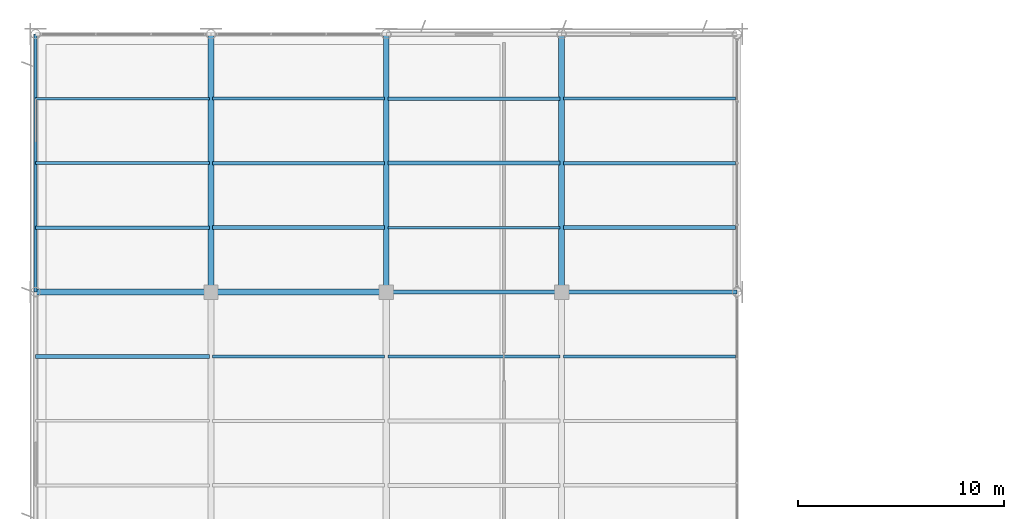
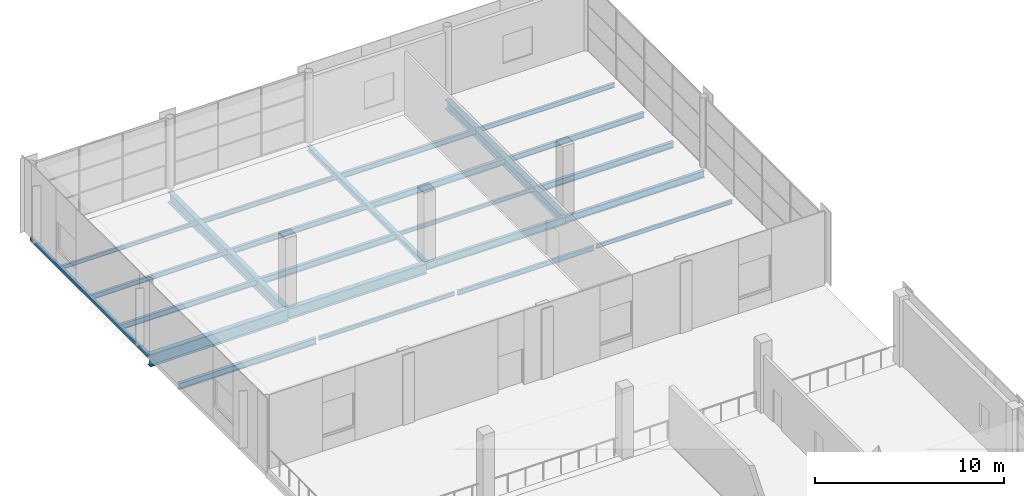
# One storey, part 41 of 101: 24 beams.
"""IFC4 building model written with IfcOpenShell, lengths in metres."""

from ifc_helpers import new_model, si_unit, direction, frame, origin, origin_2d, place, context, subcontext, project, spatial, hollow_rectangle, i_section, extrude, material, material_profile, profile_set, type_object, element, save


model = new_model("IFC4")

# Units and contexts
model_context = context("Model", 3, precision=1e-05, world=origin(), true_north=direction((0.0, 1.0)))
body_context = subcontext(model_context, "Body", "Model", "MODEL_VIEW")
ifc_project = project(units=[si_unit("LENGTHUNIT", "METRE"), si_unit("AREAUNIT", "SQUARE_METRE"), si_unit("VOLUMEUNIT", "CUBIC_METRE"), si_unit("PLANEANGLEUNIT", "RADIAN"), si_unit("MASSUNIT", "GRAM", prefix="KILO")], contexts=[model_context])

# Site, building, storey
site_placement = place(None, origin())
site = spatial("IfcSite", under=ifc_project, at=site_placement, CompositionType="ELEMENT")
building_placement = place(site_placement, origin())
building = spatial("IfcBuilding", under=site, at=building_placement, Name="Solvikara Media Centre", CompositionType="ELEMENT")
storey_placement = place(building_placement, frame((0.0, 0.0, 10.199951171875)))
storey = spatial("IfcBuildingStorey", under=building, at=storey_placement, Name="L02", CompositionType="ELEMENT", Elevation=10.199951171875)

# Beams
ifc_material = material(Name="Steel S355JR", Category="steel")
ifc_material_profile_1 = material_profile(ifc_material, i_section(OverallWidth=0.300048828125, OverallDepth=0.800048828125, WebThickness=0.013916015625, FlangeThickness=0.02587890625, at=origin_2d()), Name="WF 800x300x14x26")
ifc_profile_set_1 = profile_set([ifc_material_profile_1], Name="Steel S355JR")
beam_type_1 = type_object("IfcBeamType", Name="BM-16", PredefinedType="BEAM", material=ifc_profile_set_1)
beam_1_placement = place(storey_placement, frame((0.0, 101.5, -0.661865234375), z_axis=(1.0, 0.0, 0.0), x_axis=(0.0, 1.0, 0.0)))
element("IfcBeam", 1, at=beam_1_placement, inside=storey, type_object=beam_type_1, Name="B-L02-X0897", PredefinedType="BEAM", context=body_context, shape_type="SweptSolid", body=[
    extrude(i_section(OverallWidth=0.300048828125, OverallDepth=0.800048828125, WebThickness=0.013916015625, FlangeThickness=0.02587890625, at=origin_2d()), origin(), (0.0, 0.0, 1.0), 8.5),
])
ifc_material_profile_2 = material_profile(ifc_material, i_section(OverallWidth=0.300048828125, OverallDepth=0.699951171875, WebThickness=0.012939453125, FlangeThickness=0.02392578125, at=origin_2d()), Name="WF 700x300x13x24")
ifc_profile_set_2 = profile_set([ifc_material_profile_2], Name="Steel S355JR")
beam_type_2 = type_object("IfcBeamType", Name="BM-17", PredefinedType="BEAM", material=ifc_profile_set_2)
beam_2_placement = place(storey_placement, frame((8.5, 101.5, -0.612060546875), z_axis=(1.0, 0.0, 0.0), x_axis=(0.0, 1.0, 0.0)))
element("IfcBeam", 2, at=beam_2_placement, inside=storey, type_object=beam_type_2, Name="B-L02-X0898", PredefinedType="BEAM", context=body_context, shape_type="SweptSolid", body=[
    extrude(i_section(OverallWidth=0.300048828125, OverallDepth=0.699951171875, WebThickness=0.012939453125, FlangeThickness=0.02392578125, at=origin_2d()), origin(), (0.0, 0.0, 1.0), 8.5),
])
beam_3_placement = place(storey_placement, frame((8.5, 101.5, -0.612060546875), z_axis=(0.0, 1.0, 0.0), x_axis=(-1.0, 0.0, 0.0)))
element("IfcBeam", 3, at=beam_3_placement, inside=storey, type_object=beam_type_2, Name="B-L02-Y0926", PredefinedType="BEAM", context=body_context, shape_type="SweptSolid", body=[
    extrude(i_section(OverallWidth=0.300048828125, OverallDepth=0.699951171875, WebThickness=0.012939453125, FlangeThickness=0.02392578125, at=origin_2d()), origin(), (0.0, 0.0, 1.0), 12.5),
])
ifc_material_profile_3 = material_profile(ifc_material, i_section(OverallWidth=0.199951171875, OverallDepth=0.5, WebThickness=0.010009765625, FlangeThickness=0.01611328125, at=origin_2d()), Name="WF 500x200x10x16")
ifc_profile_set_3 = profile_set([ifc_material_profile_3], Name="Steel S355JR")
beam_type_3 = type_object("IfcBeamType", Name="BM-19", PredefinedType="BEAM", material=ifc_profile_set_3)
beam_4_placement = place(storey_placement, frame((17.0, 101.5, -0.511962890625), z_axis=(1.0, 0.0, 0.0), x_axis=(0.0, 1.0, 0.0)))
element("IfcBeam", 4, at=beam_4_placement, inside=storey, type_object=beam_type_3, Name="B-L02-X0899", PredefinedType="BEAM", context=body_context, shape_type="SweptSolid", body=[
    extrude(i_section(OverallWidth=0.199951171875, OverallDepth=0.5, WebThickness=0.010009765625, FlangeThickness=0.01611328125, at=origin_2d()), origin(), (0.0, 0.0, 1.0), 8.5),
])
ifc_material_profile_4 = material_profile(ifc_material, i_section(OverallWidth=0.199951171875, OverallDepth=0.449951171875, WebThickness=0.009033203125, FlangeThickness=0.013916015625, at=origin_2d()), Name="WF 450x200x9x14")
ifc_profile_set_4 = profile_set([ifc_material_profile_4], Name="Steel S355JR")
beam_type_4 = type_object("IfcBeamType", Name="BM-20", PredefinedType="BEAM", material=ifc_profile_set_4)
beam_5_placement = place(storey_placement, frame((25.5, 101.5, -0.487060546875), z_axis=(1.0, 0.0, 0.0), x_axis=(0.0, 1.0, 0.0)))
element("IfcBeam", 5, at=beam_5_placement, inside=storey, type_object=beam_type_4, Name="B-L02-X0900", PredefinedType="BEAM", context=body_context, shape_type="SweptSolid", body=[
    extrude(i_section(OverallWidth=0.199951171875, OverallDepth=0.449951171875, WebThickness=0.009033203125, FlangeThickness=0.013916015625, at=origin_2d()), origin(), (0.0, 0.0, 1.0), 8.5),
])
ifc_material_profile_5 = material_profile(ifc_material, i_section(OverallWidth=0.199951171875, OverallDepth=0.39990234375, WebThickness=0.008056640625, FlangeThickness=0.012939453125, at=origin_2d()), Name="WF 400x200x8x13")
ifc_profile_set_5 = profile_set([ifc_material_profile_5], Name="Steel S355JR")
beam_type_5 = type_object("IfcBeamType", Name="BM-21", PredefinedType="JOIST", material=ifc_profile_set_5)
beam_6_placement = place(storey_placement, frame((0.0, 98.375, -0.4619140625), z_axis=(1.0, 0.0, 0.0), x_axis=(0.0, 1.0, 0.0)))
element("IfcBeam", 6, at=beam_6_placement, inside=storey, type_object=beam_type_5, Name="J-L02-1025", PredefinedType="JOIST", context=body_context, shape_type="SweptSolid", body=[
    extrude(i_section(OverallWidth=0.199951171875, OverallDepth=0.39990234375, WebThickness=0.008056640625, FlangeThickness=0.012939453125, at=origin_2d()), origin(), (0.0, 0.0, 1.0), 8.422119140625),
])
for number, where, z_axis, x_axis, name in (
    (7, (8.577880859375, 104.625, -0.4619140625), (1.0, 0.0, 0.0), (0.0, 1.0, 0.0), "J-L02-1049"),
    (8, (17.077880859375, 107.75, -0.4619140625), (1.0, 0.0, 0.0), (0.0, 1.0, 0.0), "J-L02-1073"),
):
    element("IfcBeam", number, at=place(storey_placement, frame(where, z_axis=z_axis, x_axis=x_axis)), inside=storey, type_object=beam_type_5, Name=name, PredefinedType="JOIST", context=body_context, shape_type="SweptSolid", body=[
        extrude(i_section(OverallWidth=0.199951171875, OverallDepth=0.39990234375, WebThickness=0.008056640625, FlangeThickness=0.012939453125, at=origin_2d()), origin(), (0.0, 0.0, 1.0), 8.34423828125),
    ])
ifc_material_profile_6 = material_profile(ifc_material, i_section(OverallWidth=0.175048828125, OverallDepth=0.35009765625, WebThickness=0.007080078125, FlangeThickness=0.010986328125, at=origin_2d()), Name="WF 350x175x7x11")
ifc_profile_set_6 = profile_set([ifc_material_profile_6], Name="Steel S355JR")
beam_type_6 = type_object("IfcBeamType", Name="BM-22", PredefinedType="JOIST", material=ifc_profile_set_6)
beam_7_placement = place(storey_placement, frame((0.0, 104.625, -0.43701171875), z_axis=(1.0, 0.0, 0.0), x_axis=(0.0, 1.0, 0.0)))
element("IfcBeam", 9, at=beam_7_placement, inside=storey, type_object=beam_type_6, Name="J-L02-1026", PredefinedType="JOIST", context=body_context, shape_type="SweptSolid", body=[
    extrude(i_section(OverallWidth=0.175048828125, OverallDepth=0.35009765625, WebThickness=0.007080078125, FlangeThickness=0.010986328125, at=origin_2d()), origin(), (0.0, 0.0, 1.0), 8.422119140625),
])
for number, where, z_axis, x_axis, name in (
    (10, (8.577880859375, 107.75, -0.43701171875), (1.0, 0.0, 0.0), (0.0, 1.0, 0.0), "J-L02-1050"),
    (11, (17.077880859375, 110.875, -0.43701171875), (1.0, 0.0, 0.0), (0.0, 1.0, 0.0), "J-L02-1074"),
):
    element("IfcBeam", number, at=place(storey_placement, frame(where, z_axis=z_axis, x_axis=x_axis)), inside=storey, type_object=beam_type_6, Name=name, PredefinedType="JOIST", context=body_context, shape_type="SweptSolid", body=[
        extrude(i_section(OverallWidth=0.175048828125, OverallDepth=0.35009765625, WebThickness=0.007080078125, FlangeThickness=0.010986328125, at=origin_2d()), origin(), (0.0, 0.0, 1.0), 8.34423828125),
    ])
ifc_material_profile_7 = material_profile(ifc_material, i_section(OverallWidth=0.14990234375, OverallDepth=0.300048828125, WebThickness=0.006591796875, FlangeThickness=0.009033203125, at=origin_2d()), Name="WF 300x150x6.5x9")
ifc_profile_set_7 = profile_set([ifc_material_profile_7], Name="Steel S355JR")
beam_type_7 = type_object("IfcBeamType", Name="BM-23", PredefinedType="JOIST", material=ifc_profile_set_7)
beam_8_placement = place(storey_placement, frame((0.0, 107.75, -0.411865234375), z_axis=(1.0, 0.0, 0.0), x_axis=(0.0, 1.0, 0.0)))
element("IfcBeam", 12, at=beam_8_placement, inside=storey, type_object=beam_type_7, Name="J-L02-1027", PredefinedType="JOIST", context=body_context, shape_type="SweptSolid", body=[
    extrude(i_section(OverallWidth=0.14990234375, OverallDepth=0.300048828125, WebThickness=0.006591796875, FlangeThickness=0.009033203125, at=origin_2d()), origin(), (0.0, 0.0, 1.0), 8.422119140625),
])
beam_9_placement = place(storey_placement, frame((8.577880859375, 110.875, -0.411865234375), z_axis=(1.0, 0.0, 0.0), x_axis=(0.0, 1.0, 0.0)))
element("IfcBeam", 13, at=beam_9_placement, inside=storey, type_object=beam_type_7, Name="J-L02-1051", PredefinedType="JOIST", context=body_context, shape_type="SweptSolid", body=[
    extrude(i_section(OverallWidth=0.14990234375, OverallDepth=0.300048828125, WebThickness=0.006591796875, FlangeThickness=0.009033203125, at=origin_2d()), origin(), (0.0, 0.0, 1.0), 8.34423828125),
])
ifc_material_profile_8 = material_profile(ifc_material, i_section(OverallWidth=0.125, OverallDepth=0.25, WebThickness=0.006103515625, FlangeThickness=0.009033203125, at=origin_2d()), Name="WF 250x125x6x9")
ifc_profile_set_8 = profile_set([ifc_material_profile_8], Name="Steel S355JR")
beam_type_8 = type_object("IfcBeamType", Name="BM-24", PredefinedType="JOIST", material=ifc_profile_set_8)
beam_10_placement = place(storey_placement, frame((0.0, 110.875, -0.386962890625), z_axis=(1.0, 0.0, 0.0), x_axis=(0.0, 1.0, 0.0)))
element("IfcBeam", 14, at=beam_10_placement, inside=storey, type_object=beam_type_8, Name="J-L02-1028", PredefinedType="JOIST", context=body_context, shape_type="SweptSolid", body=[
    extrude(i_section(OverallWidth=0.125, OverallDepth=0.25, WebThickness=0.006103515625, FlangeThickness=0.009033203125, at=origin_2d()), origin(), (0.0, 0.0, 1.0), 8.422119140625),
])
beam_11_placement = place(storey_placement, frame((25.577880859375, 98.375, -0.386962890625), z_axis=(1.0, 0.0, 0.0), x_axis=(0.0, 1.0, 0.0)))
element("IfcBeam", 15, at=beam_11_placement, inside=storey, type_object=beam_type_8, Name="J-L02-1092", PredefinedType="JOIST", context=body_context, shape_type="SweptSolid", body=[
    extrude(i_section(OverallWidth=0.125, OverallDepth=0.25, WebThickness=0.006103515625, FlangeThickness=0.009033203125, at=origin_2d()), origin(), (0.0, 0.0, 1.0), 8.34423828125),
])
ifc_material_profile_9 = material_profile(ifc_material, i_section(OverallWidth=0.300048828125, OverallDepth=0.587890625, WebThickness=0.011962890625, FlangeThickness=0.02001953125, at=origin_2d()), Name="H 588x300x12x20")
ifc_profile_set_9 = profile_set([ifc_material_profile_9], Name="Steel S355JR")
beam_type_9 = type_object("IfcBeamType", Name="BM-26", PredefinedType="BEAM", material=ifc_profile_set_9)
beam_12_placement = place(storey_placement, frame((25.5, 101.5, -0.555908203125), z_axis=(0.0, 1.0, 0.0), x_axis=(-1.0, 0.0, 0.0)))
element("IfcBeam", 16, at=beam_12_placement, inside=storey, type_object=beam_type_9, Name="B-L02-Y0944", PredefinedType="BEAM", context=body_context, shape_type="SweptSolid", body=[
    extrude(i_section(OverallWidth=0.300048828125, OverallDepth=0.587890625, WebThickness=0.011962890625, FlangeThickness=0.02001953125, at=origin_2d()), origin(), (0.0, 0.0, 1.0), 12.5),
])
ifc_material_profile_10 = material_profile(ifc_material, i_section(OverallWidth=0.25, OverallDepth=0.340087890625, WebThickness=0.009033203125, FlangeThickness=0.013916015625, at=origin_2d()), Name="H 340x250x9x14")
ifc_profile_set_10 = profile_set([ifc_material_profile_10], Name="Steel S355JR")
beam_type_10 = type_object("IfcBeamType", Name="BM-30", PredefinedType="BEAM", material=ifc_profile_set_10)
beam_13_placement = place(storey_placement, frame((17.0, 101.5, -0.431884765625), z_axis=(0.0, 1.0, 0.0), x_axis=(-1.0, 0.0, 0.0)))
element("IfcBeam", 17, at=beam_13_placement, inside=storey, type_object=beam_type_10, Name="B-L02-Y0934", PredefinedType="BEAM", context=body_context, shape_type="SweptSolid", body=[
    extrude(i_section(OverallWidth=0.25, OverallDepth=0.340087890625, WebThickness=0.009033203125, FlangeThickness=0.013916015625, at=origin_2d()), origin(), (0.0, 0.0, 1.0), 12.5),
])
ifc_material_profile_11 = material_profile(ifc_material, hollow_rectangle(XDim=0.14990234375, YDim=0.25, WallThickness=0.008056640625, at=origin_2d()), Name="RHS 250x150x8")
ifc_profile_set_11 = profile_set([ifc_material_profile_11], Name="Steel S355JR")
beam_type_11 = type_object("IfcBeamType", Name="BM-36", PredefinedType="JOIST", material=ifc_profile_set_11)
beam_14_placement = place(storey_placement, frame((0.0, 101.5, -0.386962890625), z_axis=(0.0, 1.0, 0.0), x_axis=(-1.0, 0.0, 0.0)))
element("IfcBeam", 18, at=beam_14_placement, inside=storey, type_object=beam_type_11, Name="B-L02-Y0918", PredefinedType="JOIST", context=body_context, shape_type="SweptSolid", body=[
    extrude(hollow_rectangle(XDim=0.14990234375, YDim=0.25, WallThickness=0.008056640625, at=origin_2d()), origin(), (0.0, 0.0, 1.0), 12.5),
])
ifc_material_profile_12 = material_profile(ifc_material, i_section(OverallWidth=0.198974609375, OverallDepth=0.39599609375, WebThickness=0.007080078125, FlangeThickness=0.010986328125, at=origin_2d()), Name="WF 396x199x7x11")
ifc_profile_set_12 = profile_set([ifc_material_profile_12], Name="Steel S355JR")
beam_type_12 = type_object("IfcBeamType", Name="BM-37", PredefinedType="JOIST", material=ifc_profile_set_12)
beam_15_placement = place(storey_placement, frame((25.577880859375, 104.625, -0.4599609375), z_axis=(1.0, 0.0, 0.0), x_axis=(0.0, 1.0, 0.0)))
element("IfcBeam", 19, at=beam_15_placement, inside=storey, type_object=beam_type_12, Name="J-L02-1093", PredefinedType="JOIST", context=body_context, shape_type="SweptSolid", body=[
    extrude(i_section(OverallWidth=0.198974609375, OverallDepth=0.39599609375, WebThickness=0.007080078125, FlangeThickness=0.010986328125, at=origin_2d()), origin(), (0.0, 0.0, 1.0), 8.34423828125),
])
ifc_material_profile_13 = material_profile(ifc_material, i_section(OverallWidth=0.174072265625, OverallDepth=0.345947265625, WebThickness=0.006103515625, FlangeThickness=0.009033203125, at=origin_2d()), Name="WF 346x174x6x9")
ifc_profile_set_13 = profile_set([ifc_material_profile_13], Name="Steel S355JR")
beam_type_13 = type_object("IfcBeamType", Name="BM-38", PredefinedType="JOIST", material=ifc_profile_set_13)
beam_16_placement = place(storey_placement, frame((25.577880859375, 107.75, -0.43505859375), z_axis=(1.0, 0.0, 0.0), x_axis=(0.0, 1.0, 0.0)))
element("IfcBeam", 20, at=beam_16_placement, inside=storey, type_object=beam_type_13, Name="J-L02-1094", PredefinedType="JOIST", context=body_context, shape_type="SweptSolid", body=[
    extrude(i_section(OverallWidth=0.174072265625, OverallDepth=0.345947265625, WebThickness=0.006103515625, FlangeThickness=0.009033203125, at=origin_2d()), origin(), (0.0, 0.0, 1.0), 8.34423828125),
])
ifc_material_profile_14 = material_profile(ifc_material, i_section(OverallWidth=0.14892578125, OverallDepth=0.298095703125, WebThickness=0.005615234375, FlangeThickness=0.008056640625, at=origin_2d()), Name="WF 298x149x5.5x8")
ifc_profile_set_14 = profile_set([ifc_material_profile_14], Name="Steel S355JR")
beam_type_14 = type_object("IfcBeamType", Name="BM-39", PredefinedType="JOIST", material=ifc_profile_set_14)
for number, where, z_axis, x_axis, name in (
    (21, (17.077880859375, 98.375, -0.410888671875), (1.0, 0.0, 0.0), (0.0, 1.0, 0.0), "J-L02-1071"),
    (22, (25.577880859375, 110.875, -0.410888671875), (1.0, 0.0, 0.0), (0.0, 1.0, 0.0), "J-L02-1095"),
):
    element("IfcBeam", number, at=place(storey_placement, frame(where, z_axis=z_axis, x_axis=x_axis)), inside=storey, type_object=beam_type_14, Name=name, PredefinedType="JOIST", context=body_context, shape_type="SweptSolid", body=[
        extrude(i_section(OverallWidth=0.14892578125, OverallDepth=0.298095703125, WebThickness=0.005615234375, FlangeThickness=0.008056640625, at=origin_2d()), origin(), (0.0, 0.0, 1.0), 8.34423828125),
    ])
ifc_material_profile_15 = material_profile(ifc_material, i_section(OverallWidth=0.1240234375, OverallDepth=0.248046875, WebThickness=0.0048828125, FlangeThickness=0.008056640625, at=origin_2d()), Name="WF 248x124x5x8")
ifc_profile_set_15 = profile_set([ifc_material_profile_15], Name="Steel S355JR")
beam_type_15 = type_object("IfcBeamType", Name="BM-40", PredefinedType="JOIST", material=ifc_profile_set_15)
for number, where, z_axis, x_axis, name in (
    (23, (8.577880859375, 98.375, -0.385986328125), (1.0, 0.0, 0.0), (0.0, 1.0, 0.0), "J-L02-1048"),
    (24, (17.077880859375, 104.625, -0.385986328125), (1.0, 0.0, 0.0), (0.0, 1.0, 0.0), "J-L02-1072"),
):
    element("IfcBeam", number, at=place(storey_placement, frame(where, z_axis=z_axis, x_axis=x_axis)), inside=storey, type_object=beam_type_15, Name=name, PredefinedType="JOIST", context=body_context, shape_type="SweptSolid", body=[
        extrude(i_section(OverallWidth=0.1240234375, OverallDepth=0.248046875, WebThickness=0.0048828125, FlangeThickness=0.008056640625, at=origin_2d()), origin(), (0.0, 0.0, 1.0), 8.34423828125),
    ])

save(model, "model.ifc")
